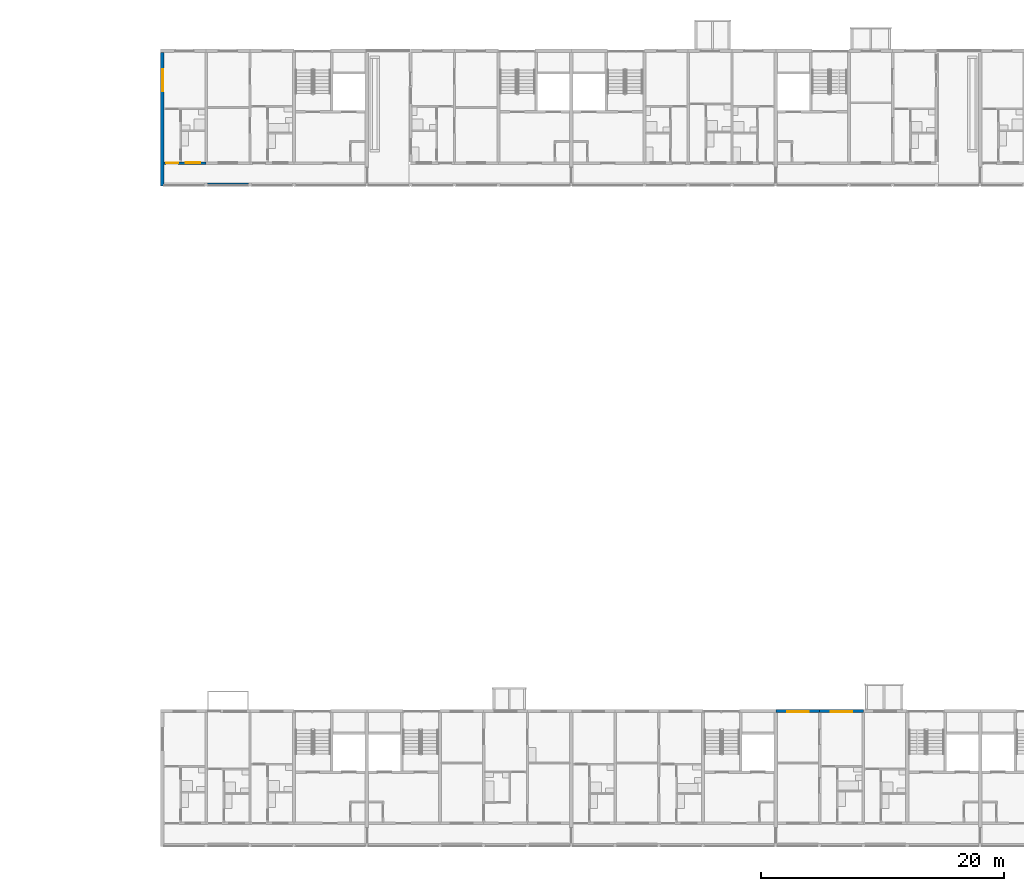
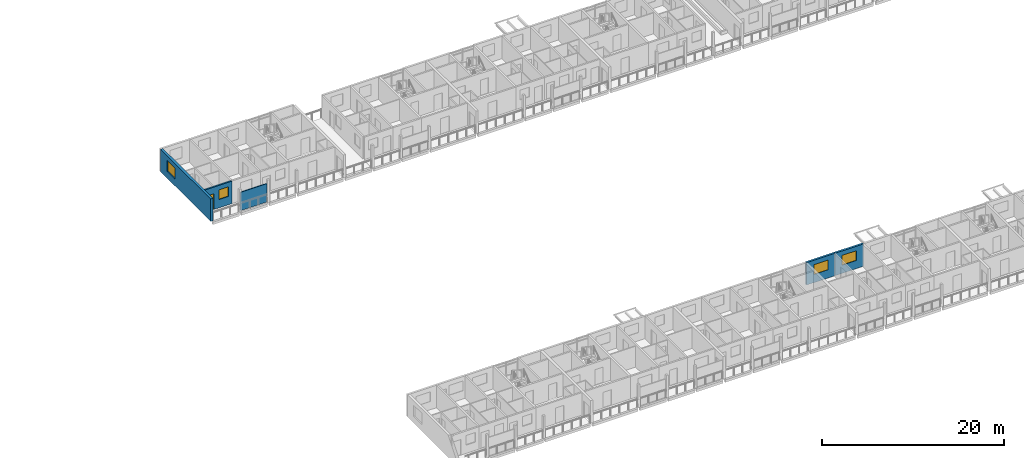
# One storey, part 47 of 94: 5 walls, 4 windows, 1 door, 5 openings.
"""IFC4 building model written with IfcOpenShell, lengths in metres."""

import ifcopenshell
import ifcopenshell.guid

model = None  # the IFC model being written
_history = None  # IfcOwnerHistory: only IFC2X3 demands one
_inside = {}  # id of a spatial element -> (the spatial element, [elements in it])
_under = {}  # id of a project, library or spatial element -> (it, [spatial elements below it])
_declared = {}  # id of a project -> (the project, [libraries it declares])
_typed = {}  # id of a type object -> (the type object, [elements of that type])
_made_of = {}  # id of a material, layer set ... -> (it, [elements and type objects made of it])


def new_model(schema):
    """Start an empty IFC model of exactly this schema.

    Asked for "IFC4X3", IfcOpenShell would pick the latest addendum, in which some entities
    have other attributes; the version numbers below select the first issue.
    IFC2X3 requires an IfcOwnerHistory on every rooted entity: one is made here for all.
    """
    global model, _history
    if schema == "IFC4X3":
        model = ifcopenshell.file(schema_version=(4, 3, 0, 0))
    else:
        model = ifcopenshell.file(schema=schema)
    _inside.clear()
    _under.clear()
    _declared.clear()
    _typed.clear()
    _made_of.clear()
    _history = None
    if model.schema == "IFC2X3":
        org = make("IfcOrganization", Name="unknown")
        user = make(
            "IfcPersonAndOrganization",
            ThePerson=make("IfcPerson", FamilyName="unknown"),
            TheOrganization=org,
        )
        app = make(
            "IfcApplication",
            ApplicationDeveloper=org,
            Version="unknown",
            ApplicationFullName="unknown",
            ApplicationIdentifier="unknown",
        )
        _history = make(
            "IfcOwnerHistory",
            OwningUser=user,
            OwningApplication=app,
            ChangeAction="ADDED",
            CreationDate=0,
        )
    return model


def make(cls, **values):
    """One entity of the class cls with the attributes given. An attribute that is None is left unset."""
    return model.create_entity(
        cls, **{name: value for name, value in values.items() if value is not None}
    )


def rooted(cls, **values):
    """An entity with a GlobalId (a new one), such as an element, a storey or a relation."""
    return make(cls, GlobalId=ifcopenshell.guid.new(), OwnerHistory=_history, **values)


def si_unit(unit_type, name, prefix=None):
    """IfcSIUnit, for example si_unit("LENGTHUNIT", "METRE", prefix="MILLI")."""
    return make("IfcSIUnit", UnitType=unit_type, Prefix=prefix, Name=name)


def assignment(units):
    """IfcUnitAssignment: the units of a project."""
    return None if units is None else make("IfcUnitAssignment", Units=units)


def point(xyz):
    """IfcCartesianPoint."""
    return None if xyz is None else make("IfcCartesianPoint", Coordinates=xyz)


def direction(xyz):
    """IfcDirection."""
    return None if xyz is None else make("IfcDirection", DirectionRatios=xyz)


def frame(location, z_axis=None, x_axis=None):
    """IfcAxis2Placement3D, a coordinate frame: its origin and axes. An axis left out is left unset."""
    return make(
        "IfcAxis2Placement3D",
        Location=point(location),
        Axis=direction(z_axis),
        RefDirection=direction(x_axis),
    )


def frame_2d(location, x_axis=None):
    """IfcAxis2Placement2D, a coordinate frame in the plane: its origin and x axis."""
    return make(
        "IfcAxis2Placement2D", Location=point(location), RefDirection=direction(x_axis)
    )


def origin():
    """The frame at (0, 0, 0) with its axes left unset."""
    return frame((0.0, 0.0, 0.0))


def place(relative_to, where):
    """IfcLocalPlacement: puts the frame where relative to a parent placement (None: the world)."""
    return make(
        "IfcLocalPlacement", PlacementRelTo=relative_to, RelativePlacement=where
    )


def context(
    kind, dimensions, precision=None, world=None, true_north=None, identifier=None
):
    """IfcGeometricRepresentationContext, for example the 3D "Model" context."""
    return make(
        "IfcGeometricRepresentationContext",
        ContextIdentifier=identifier,
        ContextType=kind,
        CoordinateSpaceDimension=dimensions,
        Precision=precision,
        WorldCoordinateSystem=world,
        TrueNorth=true_north,
    )


def subcontext(parent, identifier, kind, view, scale=None):
    """IfcGeometricRepresentationSubContext, for example "Body" below "Model"."""
    return make(
        "IfcGeometricRepresentationSubContext",
        ContextIdentifier=identifier,
        ContextType=kind,
        ParentContext=parent,
        TargetScale=scale,
        TargetView=view,
    )


def project(units=None, contexts=None):
    """IfcProject with its units and contexts."""
    return rooted(
        "IfcProject",
        Name="project",
        RepresentationContexts=contexts,
        UnitsInContext=assignment(units),
    )


def spatial(cls, under=None, at=None, **own):
    """A site, building, storey or space (cls), placed at a placement, below another one or the project."""
    s = rooted(cls, ObjectPlacement=at, **own)
    if under is not None:
        _under.setdefault(under.id(), (under, []))[1].append(s)
    return s


def profile(cls, at=None, kind="AREA", **sizes):
    """A parametric profile (cls). Its sizes go by their IFC names, for example OverallWidth=200.0."""
    return make(cls, ProfileType=kind, Position=at, **sizes)


def rectangle(**sizes):
    """IfcRectangleProfileDef."""
    return profile("IfcRectangleProfileDef", **sizes)


def extrude(swept, where, along, depth):
    """IfcExtrudedAreaSolid: the profile swept, set in the frame where, extruded along a direction by depth."""
    return make(
        "IfcExtrudedAreaSolid",
        SweptArea=swept,
        Position=where,
        ExtrudedDirection=direction(along),
        Depth=depth,
    )


def shape(context_of_items, identifier, shape_type, items):
    """IfcShapeRepresentation: the items that make up one representation, for example the "Body"."""
    return make(
        "IfcShapeRepresentation",
        ContextOfItems=context_of_items,
        RepresentationIdentifier=identifier,
        RepresentationType=shape_type,
        Items=items,
    )


def material(Name=None, Category=None):
    """IfcMaterial."""
    return make("IfcMaterial", Name=Name, Category=Category)


def layer(
    of_material, thickness, ventilated=None, Name=None, Category=None, Priority=None
):
    """IfcMaterialLayer: one layer of a wall or slab, of a material (None: an air gap)."""
    return make(
        "IfcMaterialLayer",
        Material=of_material,
        LayerThickness=thickness,
        IsVentilated=ventilated,
        Name=Name,
        Category=Category,
        Priority=Priority,
    )


def layer_set(layers, Name=None):
    """IfcMaterialLayerSet."""
    return make("IfcMaterialLayerSet", MaterialLayers=layers, LayerSetName=Name)


def made_of(thing, what):
    """Note that an element or type object is made of a material, layer set ...; save() writes the relation."""
    if what is not None:
        _made_of.setdefault(what.id(), (what, []))[1].append(thing)
    return thing


def type_object(cls, material=None, **own):
    """A type object (cls), such as IfcWallType, which elements share."""
    return made_of(rooted(cls, **own), material)


def element(
    cls,
    number,
    at=None,
    inside=None,
    cuts=None,
    type_object=None,
    material=None,
    context=None,
    identifier="Body",
    shape_type=None,
    held_by="IfcProductDefinitionShape",
    body=None,
    shapes=None,
    **own,
):
    """One element of the class cls, such as IfcWall. Its Tag is "e" and its number.

    at: its placement. inside: the storey or other place that contains it. cuts: it is an
    opening in that element (IfcRelVoidsElement). A single representation is given by context,
    identifier, shape_type and body (its items); several are given by shapes. held_by: the class
    of the entity that holds the representations. save() writes the other relations.
    """
    e = rooted(cls, Tag="e%d" % number, ObjectPlacement=at, **own)
    if body is not None:
        shapes = [shape(context, identifier, shape_type, body)]
    if shapes is not None:
        e.Representation = make(held_by, Representations=shapes)
    if inside is not None:
        _inside.setdefault(inside.id(), (inside, []))[1].append(e)
    if cuts is not None:
        rooted(
            "IfcRelVoidsElement", RelatingBuildingElement=cuts, RelatedOpeningElement=e
        )
    if type_object is not None:
        _typed.setdefault(type_object.id(), (type_object, []))[1].append(e)
    return made_of(e, material)


def fill(opening, filler):
    """IfcRelFillsElement: the door or window that sits in an opening."""
    return rooted(
        "IfcRelFillsElement",
        RelatingOpeningElement=opening,
        RelatedBuildingElement=filler,
    )


def aggregate(whole, parts):
    """IfcRelAggregates: a whole, such as a stair, and the parts it consists of."""
    return rooted("IfcRelAggregates", RelatingObject=whole, RelatedObjects=parts)


def save(model, path):
    """Write the relations noted so far, then the file.

    IfcRelAggregates (storeys below a building ...), IfcRelContainedInSpatialStructure (elements
    in a storey), IfcRelDefinesByType, IfcRelAssociatesMaterial and IfcRelDeclares: one each for
    every whole, place, type object, material and project.
    """
    for whole, parts in _under.values():
        aggregate(whole, parts)
    for where, things in _inside.values():
        rooted(
            "IfcRelContainedInSpatialStructure",
            RelatedElements=things,
            RelatingStructure=where,
        )
    for kind, things in _typed.values():
        rooted("IfcRelDefinesByType", RelatedObjects=things, RelatingType=kind)
    for what, things in _made_of.values():
        rooted("IfcRelAssociatesMaterial", RelatedObjects=things, RelatingMaterial=what)
    for by, libraries in _declared.values():
        rooted("IfcRelDeclares", RelatingContext=by, RelatedDefinitions=libraries)
    model.write(path)


model = new_model("IFC4")

# Units and contexts
model_context = context("Model", 3, precision=1e-05, world=origin(), true_north=direction((0.0, 1.0)))
body_context = subcontext(model_context, "Body", "Model", "MODEL_VIEW")
ifc_project = project(units=[si_unit("LENGTHUNIT", "METRE"), si_unit("AREAUNIT", "SQUARE_METRE"), si_unit("VOLUMEUNIT", "CUBIC_METRE"), si_unit("PLANEANGLEUNIT", "RADIAN"), si_unit("MASSUNIT", "GRAM", prefix="KILO")], contexts=[model_context])

# Site, building, storey
site_placement = place(None, origin())
site = spatial("IfcSite", under=ifc_project, at=site_placement, CompositionType="ELEMENT")
building_placement = place(site_placement, origin())
building = spatial("IfcBuilding", under=site, at=building_placement, Name="Ridgestep Commons", CompositionType="ELEMENT")
storey_placement = place(building_placement, frame((0.0, 0.0, 21.0)))
storey = spatial("IfcBuildingStorey", under=building, at=storey_placement, Name="L07", CompositionType="ELEMENT", Elevation=21.0)

# Wall, opening, window
ifc_material_1 = material(Name="Precast concrete C40/50", Category="concrete")
ifc_layer_1 = layer(ifc_material_1, 0.300048828125)
ifc_layer_set_1 = layer_set([ifc_layer_1], Name="Exposed division wall 300")
wall_type_1 = type_object("IfcWallType", Name="Exposed division wall 300", PredefinedType="SHEAR", material=ifc_layer_set_1)
wall_1_placement = place(storey_placement, frame((146.800048828125, 66.0, 0.0), z_axis=(0.0, 0.0, 1.0), x_axis=(0.0, 1.0, 0.0)))
wall_1 = element("IfcWall", 1, at=wall_1_placement, inside=storey, type_object=wall_type_1, Name="Cross wall C-07-1468", PredefinedType="SHEAR", context=body_context, shape_type="SweptSolid", body=[
    extrude(rectangle(XDim=11.0, YDim=0.300048828125, at=frame_2d((5.5, 0.0))), origin(), (0.0, 0.0, 1.0), 3.0),
])
opening_1_placement = place(wall_1_placement, frame((7.804931640625, 0.0, 0.89990234375)))
opening_1 = element("IfcOpeningElement", 2, at=opening_1_placement, cuts=wall_1, Name="Opening W20", PredefinedType="OPENING", context=body_context, shape_type="SweptSolid", body=[
    extrude(rectangle(XDim=1.800048828125, YDim=1.5, at=frame_2d((0.89990234375, 0.75))), frame((0.0, 0.159912109375, 0.0), z_axis=(0.0, -1.0, 0.0), x_axis=(1.0, 0.0, 0.0)), (0.0, 0.0, 1.0), 0.320068359375),
])
ifc_material_2 = material(Name="Aluminium 6063-T6 and glass", Category="aluminium")
window_type_1 = type_object("IfcWindowType", Name="Flat window 1800 x 1500", PartitioningType="DOUBLE_PANEL_VERTICAL", PredefinedType="WINDOW", material=ifc_material_2)
window_1_placement = place(opening_1_placement, origin())
window_1 = element("IfcWindow", 3, at=window_1_placement, inside=storey, type_object=window_type_1, Name="Window C1-07a 3", OverallHeight=1.5, OverallWidth=1.800048828125, PartitioningType="SINGLE_PANEL", PredefinedType="WINDOW", context=body_context, shape_type="SweptSolid", body=[
    extrude(rectangle(XDim=1.800048828125, YDim=1.5, at=frame_2d((0.89990234375, 0.75))), frame((0.0, 0.0, 0.0), z_axis=(0.0, -1.0, 0.0), x_axis=(1.0, 0.0, 0.0)), (0.0, 0.0, 1.0), 0.06005859375),
])
fill(opening_1, window_1)

ifc_material_3 = material(Name="Precast concrete C40/50", Category="concrete")
ifc_layer_2 = layer(ifc_material_3, 0.25)
ifc_layer_set_2 = layer_set([ifc_layer_2], Name="North facade panel 250")
wall_type_2 = type_object("IfcWallType", Name="North facade panel 250", PredefinedType="SOLIDWALL", material=ifc_layer_set_2)
wall_2_placement = place(storey_placement, frame((197.199951171875, 22.875, 0.0), z_axis=(0.0, 0.0, 1.0), x_axis=(1.0, 0.0, 0.0)))
wall_2 = element("IfcWall", 4, at=wall_2_placement, inside=storey, type_object=wall_type_2, Name="North panel D4T1 L07", PredefinedType="SOLIDWALL", context=body_context, shape_type="SweptSolid", body=[
    extrude(rectangle(XDim=3.60009765625, YDim=0.25, at=frame_2d((1.800048828125, 0.0))), origin(), (0.0, 0.0, 1.0), 3.0),
])
opening_2_placement = place(wall_2_placement, frame((0.925048828125, 0.0, 1.10009765625)))
opening_2 = element("IfcOpeningElement", 5, at=opening_2_placement, cuts=wall_2, Name="Opening W18", PredefinedType="OPENING", context=body_context, shape_type="SweptSolid", body=[
    extrude(rectangle(XDim=1.800048828125, YDim=1.300048828125, at=frame_2d((0.89990234375, 0.64990234375))), frame((0.0, 0.135009765625, 0.0), z_axis=(0.0, -1.0, 0.0), x_axis=(1.0, 0.0, 0.0)), (0.0, 0.0, 1.0), 0.27001953125),
])
ifc_material_4 = material(Name="Aluminium 6063-T6 and glass", Category="aluminium")
window_type_2 = type_object("IfcWindowType", Name="Flat window 1800 x 1300", PartitioningType="DOUBLE_PANEL_VERTICAL", PredefinedType="WINDOW", material=ifc_material_4)
window_2_placement = place(opening_2_placement, origin())
window_2 = element("IfcWindow", 6, at=window_2_placement, inside=storey, type_object=window_type_2, Name="Window D4-07a 2", OverallHeight=1.300048828125, OverallWidth=1.800048828125, PartitioningType="SINGLE_PANEL", PredefinedType="WINDOW", context=body_context, shape_type="SweptSolid", body=[
    extrude(rectangle(XDim=1.800048828125, YDim=1.300048828125, at=frame_2d((0.89990234375, 0.64990234375))), frame((0.0, -0.02490234375, 0.0), z_axis=(0.0, -1.0, 0.0), x_axis=(1.0, 0.0, 0.0)), (0.0, 0.0, 1.0), 0.06005859375),
])
fill(opening_2, window_2)

wall_3_placement = place(storey_placement, frame((200.800048828125, 22.875, 0.0), z_axis=(0.0, 0.0, 1.0), x_axis=(1.0, 0.0, 0.0)))
wall_3 = element("IfcWall", 7, at=wall_3_placement, inside=storey, type_object=wall_type_2, Name="North panel D4T2 L07", PredefinedType="SOLIDWALL", context=body_context, shape_type="SweptSolid", body=[
    extrude(rectangle(XDim=3.599853515625, YDim=0.25, at=frame_2d((1.7998046875, 0.0))), origin(), (0.0, 0.0, 1.0), 3.0),
])
opening_3_placement = place(wall_3_placement, frame((0.89990234375, 0.0, 1.10009765625)))
opening_3 = element("IfcOpeningElement", 8, at=opening_3_placement, cuts=wall_3, Name="Opening W18", PredefinedType="OPENING", context=body_context, shape_type="SweptSolid", body=[
    extrude(rectangle(XDim=1.800048828125, YDim=1.300048828125, at=frame_2d((0.89990234375, 0.64990234375))), frame((0.0, 0.135009765625, 0.0), z_axis=(0.0, -1.0, 0.0), x_axis=(1.0, 0.0, 0.0)), (0.0, 0.0, 1.0), 0.27001953125),
])
window_3_placement = place(opening_3_placement, origin())
window_3 = element("IfcWindow", 9, at=window_3_placement, inside=storey, type_object=window_type_2, Name="Window D4-07a 4", OverallHeight=1.300048828125, OverallWidth=1.800048828125, PartitioningType="SINGLE_PANEL", PredefinedType="WINDOW", context=body_context, shape_type="SweptSolid", body=[
    extrude(rectangle(XDim=1.800048828125, YDim=1.300048828125, at=frame_2d((0.89990234375, 0.64990234375))), frame((0.0, -0.02490234375, 0.0), z_axis=(0.0, -1.0, 0.0), x_axis=(1.0, 0.0, 0.0)), (0.0, 0.0, 1.0), 0.06005859375),
])
fill(opening_3, window_3)

# Wall
ifc_material_5 = material(Name="Precast concrete C30/37", Category="concrete")
ifc_layer_3 = layer(ifc_material_5, 0.10009765625)
ifc_layer_set_3 = layer_set([ifc_layer_3], Name="Perforated gallery screen 3350 x 2450 x 100")
wall_type_3 = type_object("IfcWallType", Name="Perforated gallery screen 3350 x 2450 x 100", PredefinedType="SOLIDWALL", material=ifc_layer_set_3)
wall_4_placement = place(storey_placement, frame((150.52490234375, 66.199951171875, 0.0), z_axis=(0.0, 0.0, 1.0), x_axis=(1.0, 0.0, 0.0)))
element("IfcWall", 10, at=wall_4_placement, inside=storey, type_object=wall_type_3, Name="Gallery screen C1T2 07", PredefinedType="SOLIDWALL", context=body_context, shape_type="SweptSolid", body=[
    extrude(rectangle(XDim=3.35009765625, YDim=0.10009765625, at=frame_2d((1.675048828125, 0.0))), origin(), (0.0, 0.0, 1.0), 2.449951171875),
])

# Wall, openings, door, window
ifc_material_6 = material(Name="Precast concrete C40/50", Category="concrete")
ifc_layer_4 = layer(ifc_material_6, 0.199951171875)
ifc_layer_set_4 = layer_set([ifc_layer_4], Name="South facade panel 200")
wall_type_4 = type_object("IfcWallType", Name="South facade panel 200", PredefinedType="SOLIDWALL", material=ifc_layer_set_4)
wall_5_placement = place(storey_placement, frame((146.949951171875, 67.89990234375, 0.0), z_axis=(0.0, 0.0, 1.0), x_axis=(1.0, 0.0, 0.0)))
wall_5 = element("IfcWall", 11, at=wall_5_placement, inside=storey, type_object=wall_type_4, Name="South panel C1T1 L07", PredefinedType="SOLIDWALL", context=body_context, shape_type="SweptSolid", body=[
    extrude(rectangle(XDim=3.449951171875, YDim=0.199951171875, at=frame_2d((1.72509765625, 0.0))), origin(), (0.0, 0.0, 1.0), 3.0),
])
opening_4_placement = place(wall_5_placement, frame((1.780029296875, 0.0, 1.10009765625)))
opening_4 = element("IfcOpeningElement", 12, at=opening_4_placement, cuts=wall_5, Name="Opening W08", PredefinedType="OPENING", context=body_context, shape_type="SweptSolid", body=[
    extrude(rectangle(XDim=1.199951171875, YDim=1.300048828125, at=frame_2d((0.60009765625, 0.64990234375))), frame((0.0, 0.10986328125, 0.0), z_axis=(0.0, -1.0, 0.0), x_axis=(1.0, 0.0, 0.0)), (0.0, 0.0, 1.0), 0.219970703125),
])
opening_5_placement = place(wall_5_placement, frame((0.14990234375, 0.0, 0.0)))
opening_5 = element("IfcOpeningElement", 13, at=opening_5_placement, cuts=wall_5, Name="Opening C1-07a/1", PredefinedType="OPENING", context=body_context, shape_type="SweptSolid", body=[
    extrude(rectangle(XDim=1.0, YDim=2.10009765625, at=frame_2d((0.5, 1.050048828125))), frame((0.0, 0.10986328125, 0.0), z_axis=(0.0, -1.0, 0.0), x_axis=(1.0, 0.0, 0.0)), (0.0, 0.0, 1.0), 0.219970703125),
])
ifc_material_7 = material(Name="Timber door leaf", Category="wood")
door_type = type_object("IfcDoorType", Name="Flat entrance door 1000 x 2100 FD30S", OperationType="NOTDEFINED", PredefinedType="DOOR", material=ifc_material_7)
door_placement = place(opening_5_placement, origin())
door = element("IfcDoor", 14, at=door_placement, inside=storey, type_object=door_type, Name="Flat entrance door C1-07a/1", OperationType="SINGLE_SWING_LEFT", OverallHeight=2.10009765625, OverallWidth=1.0, PredefinedType="DOOR", context=body_context, shape_type="SweptSolid", body=[
    extrude(rectangle(XDim=1.0, YDim=2.10009765625, at=frame_2d((0.5, 1.050048828125))), frame((0.0, 0.02490234375, 0.0), z_axis=(0.0, -1.0, 0.0), x_axis=(1.0, 0.0, 0.0)), (0.0, 0.0, 1.0), 0.050048828125),
])
fill(opening_5, door)
ifc_material_8 = material(Name="Aluminium 6063-T6 and glass", Category="aluminium")
window_type_3 = type_object("IfcWindowType", Name="Flat window 1200 x 1300", PartitioningType="SINGLE_PANEL", PredefinedType="WINDOW", material=ifc_material_8)
window_4_placement = place(opening_4_placement, origin())
window_4 = element("IfcWindow", 15, at=window_4_placement, inside=storey, type_object=window_type_3, Name="Window C1-07a 1", OverallHeight=1.300048828125, OverallWidth=1.199951171875, PartitioningType="SINGLE_PANEL", PredefinedType="WINDOW", context=body_context, shape_type="SweptSolid", body=[
    extrude(rectangle(XDim=1.199951171875, YDim=1.300048828125, at=frame_2d((0.60009765625, 0.64990234375))), frame((0.0, 0.06005859375, 0.0), z_axis=(0.0, -1.0, 0.0), x_axis=(1.0, 0.0, 0.0)), (0.0, 0.0, 1.0), 0.06005859375),
])
fill(opening_4, window_4)

save(model, "model.ifc")
